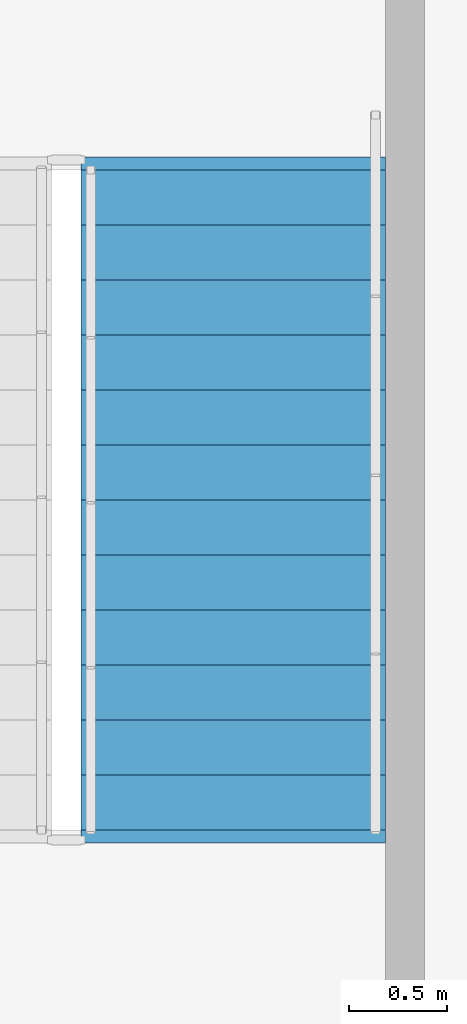
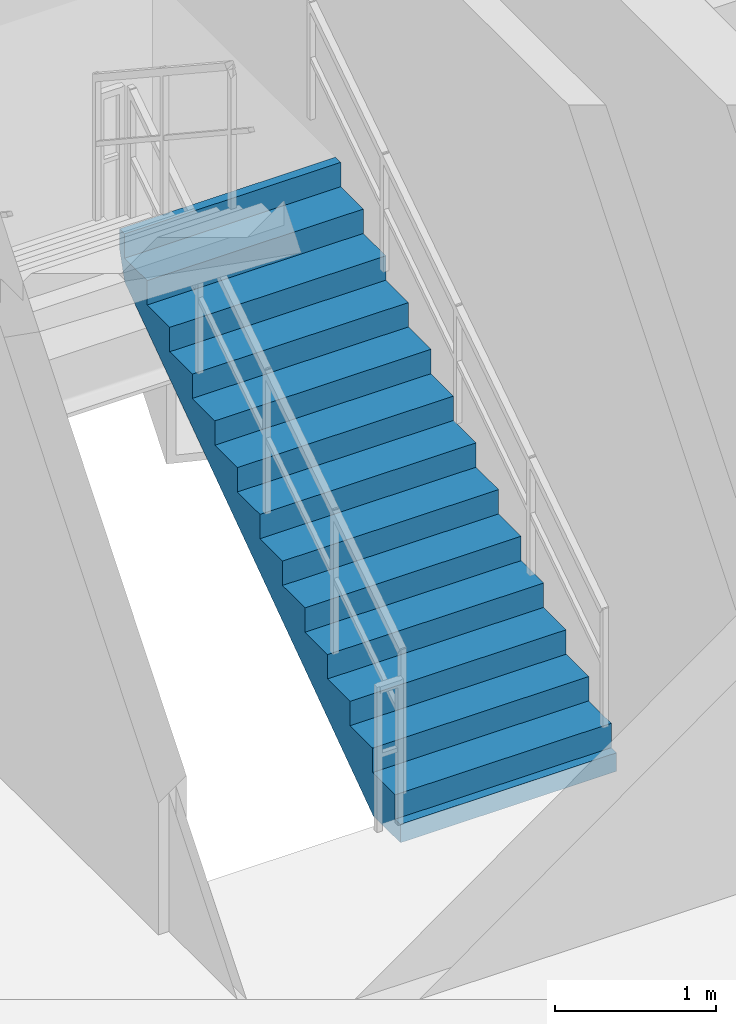
# One storey, part 9 of 11: 1 stair flight, 1 element without a shape of its own.
"""IFC4 building model written with IfcOpenShell, lengths in metres."""

from ifc_helpers import new_model, si_unit, direction, frame, origin, place, context, subcontext, project, spatial, polyline, outline, extrude, material, type_object, element, aggregate, save


model = new_model("IFC4")

# Units and contexts
model_context = context("Model", 3, precision=1e-05, world=origin(), true_north=direction((0.0, 1.0)))
body_context = subcontext(model_context, "Body", "Model", "MODEL_VIEW")
ifc_project = project(units=[si_unit("LENGTHUNIT", "METRE"), si_unit("AREAUNIT", "SQUARE_METRE"), si_unit("VOLUMEUNIT", "CUBIC_METRE"), si_unit("PLANEANGLEUNIT", "RADIAN"), si_unit("MASSUNIT", "GRAM", prefix="KILO")], contexts=[model_context])

# Site, building, storey
site_placement = place(None, origin())
site = spatial("IfcSite", under=ifc_project, at=site_placement, CompositionType="ELEMENT")
building_placement = place(site_placement, origin())
building = spatial("IfcBuilding", under=site, at=building_placement, Name="Zahravan Cultural Tower", CompositionType="ELEMENT")
storey_placement = place(building_placement, frame((0.0, 0.0, 234.300048828125)))
storey = spatial("IfcBuildingStorey", under=building, at=storey_placement, Name="L55", CompositionType="ELEMENT", Elevation=234.300048828125)

# Stair, stair flight
ifc_material = material(Name="Concrete C45/55", Category="concrete")
stair_type = type_object("IfcStairType", Name="STR-DL-1550-480", PredefinedType="HALF_TURN_STAIR", material=ifc_material)
stair_placement = place(storey_placement, origin())
stair = element("IfcStair", 1, at=stair_placement, inside=storey, type_object=stair_type, Name="L55 East Core North Exit Stair ST-E1", PredefinedType="HALF_TURN_STAIR")
stair_flight_type = type_object("IfcStairFlightType", Name="FLG-DL-1550-480", PredefinedType="STRAIGHT", material=ifc_material)
stair_flight_placement = place(storey_placement, frame((48.675048828125, 29.949951171875, 0.0), z_axis=(0.0, 0.0, 1.0), x_axis=(0.0, 1.0, 0.0)))
stair_flight = element("IfcStairFlight", 2, at=stair_flight_placement, type_object=stair_flight_type, Name="ST-E1 flight 1", NumberOfRisers=13, NumberOfTreads=12, PredefinedType="STRAIGHT", RiserHeight=0.184615385, TreadLength=0.28, context=body_context, shape_type="SweptSolid", body=[
    extrude(outline(polyline([(-0.06494140625, -0.139892578125), (-0.06494140625, 0.0), (0.0, 0.0), (0.0, 0.1845703125), (0.280029296875, 0.1845703125), (0.280029296875, 0.369140625), (0.56005859375, 0.369140625), (0.56005859375, 0.553955078125), (0.840087890625, 0.553955078125), (0.840087890625, 0.738525390625), (1.1201171875, 0.738525390625), (1.1201171875, 0.923095703125), (1.39990234375, 0.923095703125), (1.39990234375, 1.107666015625), (1.679931640625, 1.107666015625), (1.679931640625, 1.292236328125), (1.9599609375, 1.292236328125), (1.9599609375, 1.476806640625), (2.239990234375, 1.476806640625), (2.239990234375, 1.66162109375), (2.52001953125, 1.66162109375), (2.52001953125, 1.84619140625), (2.800048828125, 1.84619140625), (2.800048828125, 2.03076171875), (3.080078125, 2.03076171875), (3.080078125, 2.21533203125), (3.360107421875, 2.21533203125), (3.360107421875, 2.39990234375), (3.425048828125, 2.39990234375), (3.425048828125, 2.25), (3.360107421875, 2.035888671875), (0.272216796875, -0.139892578125), (-0.06494140625, -0.139892578125)])), frame((0.0, 0.77490234375, 0.0), z_axis=(0.0, -1.0, 0.0), x_axis=(1.0, 0.0, 0.0)), (0.0, 0.0, 1.0), 1.550048828125),
])
aggregate(stair, [stair_flight])

save(model, "model.ifc")
